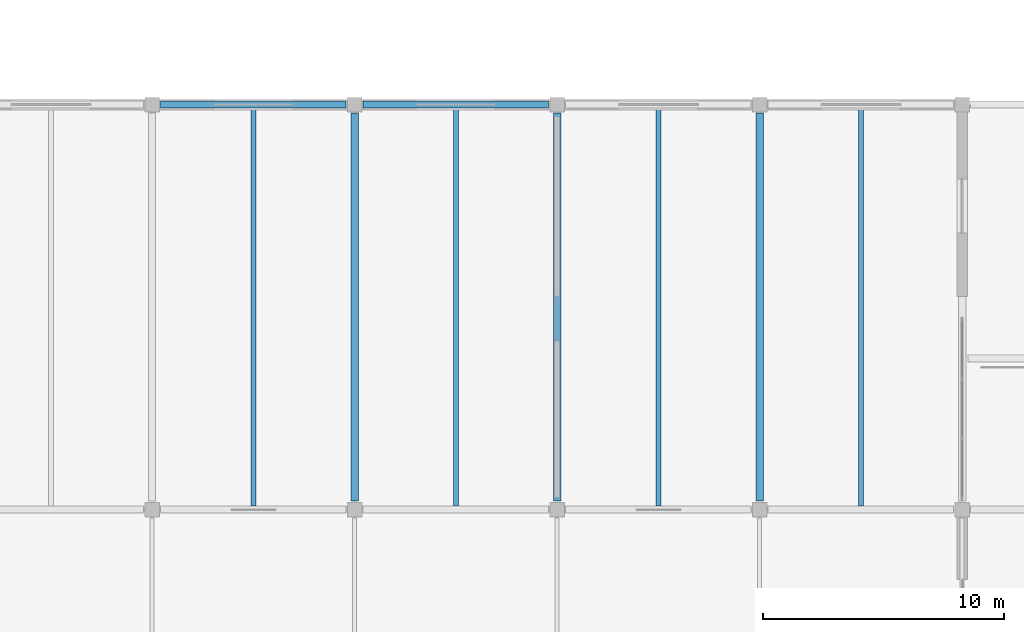
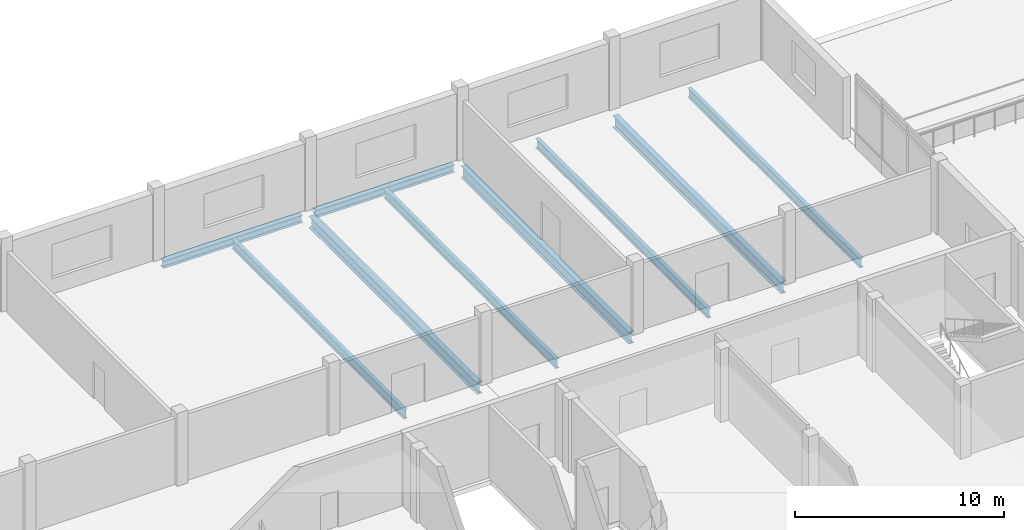
# One storey, part 25 of 81: 9 beams.
"""IFC4 building model written with IfcOpenShell, lengths in metres."""

from ifc_helpers import new_model, si_unit, direction, frame, origin, origin_2d, place, context, subcontext, project, spatial, i_section, extrude, material, material_profile, profile_set, type_object, element, save


model = new_model("IFC4")

# Units and contexts
model_context = context("Model", 3, precision=1e-05, world=origin(), true_north=direction((0.0, 1.0)))
body_context = subcontext(model_context, "Body", "Model", "MODEL_VIEW")
ifc_project = project(units=[si_unit("LENGTHUNIT", "METRE"), si_unit("AREAUNIT", "SQUARE_METRE"), si_unit("VOLUMEUNIT", "CUBIC_METRE"), si_unit("PLANEANGLEUNIT", "RADIAN"), si_unit("MASSUNIT", "GRAM", prefix="KILO")], contexts=[model_context])

# Site, building, storey
site_placement = place(None, origin())
site = spatial("IfcSite", under=ifc_project, at=site_placement, CompositionType="ELEMENT")
building_placement = place(site_placement, origin())
building = spatial("IfcBuilding", under=site, at=building_placement, Name="Qawsi Khor Wholesale Market", CompositionType="ELEMENT")
storey_placement = place(building_placement, frame((0.0, 0.0, 16.199951171875)))
storey = spatial("IfcBuildingStorey", under=building, at=storey_placement, Name="L03", CompositionType="ELEMENT", Elevation=16.199951171875)

# Beams
ifc_material = material(Name="Steel S355", Category="steel")
ifc_material_profile_1 = material_profile(ifc_material, i_section(OverallWidth=0.300048828125, OverallDepth=0.43994140625, WebThickness=0.011474609375, FlangeThickness=0.02099609375, FilletRadius=0.027099609375, at=origin_2d()), Name="HEA 450")
ifc_profile_set_1 = profile_set([ifc_material_profile_1], Name="Steel S355")
beam_type_1 = type_object("IfcBeamType", Name="Primary Girder HEA 450", PredefinedType="BEAM", material=ifc_profile_set_1)
beam_1_placement = place(storey_placement, frame((92.75, 42.0, -0.5), z_axis=(1.0, 0.0, 0.0), x_axis=(0.0, 1.0, 0.0)))
element("IfcBeam", 1, at=beam_1_placement, inside=storey, type_object=beam_type_1, Name="BM-X-L03-11_+05", PredefinedType="BEAM", context=body_context, shape_type="SweptSolid", body=[
    extrude(i_section(OverallWidth=0.300048828125, OverallDepth=0.43994140625, WebThickness=0.011474609375, FlangeThickness=0.02099609375, FilletRadius=0.027099609375, at=origin_2d()), origin(), (0.0, 0.0, 1.0), 7.699951171875),
])
beam_2_placement = place(storey_placement, frame((101.14990234375, 42.0, -0.5), z_axis=(1.0, 0.0, 0.0), x_axis=(0.0, 1.0, 0.0)))
element("IfcBeam", 2, at=beam_2_placement, inside=storey, type_object=beam_type_1, Name="BM-X-L03-12_+05", PredefinedType="BEAM", context=body_context, shape_type="SweptSolid", body=[
    extrude(i_section(OverallWidth=0.300048828125, OverallDepth=0.43994140625, WebThickness=0.011474609375, FlangeThickness=0.02099609375, FilletRadius=0.027099609375, at=origin_2d()), origin(), (0.0, 0.0, 1.0), 7.7001953125),
])
ifc_material_profile_2 = material_profile(ifc_material, i_section(OverallWidth=0.300048828125, OverallDepth=0.68994140625, WebThickness=0.014404296875, FlangeThickness=0.027099609375, FilletRadius=0.027099609375, at=origin_2d()), Name="HEA 700")
ifc_profile_set_2 = profile_set([ifc_material_profile_2], Name="Steel S355")
beam_type_2 = type_object("IfcBeamType", Name="Primary Girder HEA 700", PredefinedType="BEAM", material=ifc_profile_set_2)
for number, where, z_axis, x_axis, name in (
    (3, (100.800048828125, 25.550048828125, -0.625), (0.0, 1.0, 0.0), (-1.0, 0.0, 0.0), "BM-YL-L03-12_+03"),
    (4, (109.199951171875, 25.550048828125, -0.625), (0.0, 1.0, 0.0), (-1.0, 0.0, 0.0), "BM-YL-L03-13_+03"),
    (5, (117.60009765625, 25.550048828125, -0.625), (0.0, 1.0, 0.0), (-1.0, 0.0, 0.0), "BM-YL-L03-14_+03"),
):
    element("IfcBeam", number, at=place(storey_placement, frame(where, z_axis=z_axis, x_axis=x_axis)), inside=storey, type_object=beam_type_2, Name=name, PredefinedType="BEAM", context=body_context, shape_type="SweptSolid", body=[
        extrude(i_section(OverallWidth=0.300048828125, OverallDepth=0.68994140625, WebThickness=0.014404296875, FlangeThickness=0.027099609375, FilletRadius=0.027099609375, at=origin_2d()), origin(), (0.0, 0.0, 1.0), 16.099853515625),
    ])
ifc_material_profile_3 = material_profile(ifc_material, i_section(OverallWidth=0.2099609375, OverallDepth=0.550048828125, WebThickness=0.010986328125, FlangeThickness=0.01708984375, FilletRadius=0.02392578125, at=origin_2d()), Name="IPE 550")
ifc_profile_set_3 = profile_set([ifc_material_profile_3], Name="Steel S355")
beam_type_3 = type_object("IfcBeamType", Name="Secondary Beam IPE 550", PredefinedType="BEAM", material=ifc_profile_set_3)
for number, where, z_axis, x_axis, name in (
    (6, (96.60009765625, 25.35009765625, -0.554931640625), (0.0, 1.0, 0.0), (-1.0, 0.0, 0.0), "JST-M-L03-11"),
    (7, (105.0, 25.35009765625, -0.554931640625), (0.0, 1.0, 0.0), (-1.0, 0.0, 0.0), "JST-M-L03-12"),
    (8, (113.39990234375, 25.35009765625, -0.554931640625), (0.0, 1.0, 0.0), (-1.0, 0.0, 0.0), "JST-M-L03-13"),
    (9, (121.800048828125, 25.35009765625, -0.554931640625), (0.0, 1.0, 0.0), (-1.0, 0.0, 0.0), "JST-M-L03-14"),
):
    element("IfcBeam", number, at=place(storey_placement, frame(where, z_axis=z_axis, x_axis=x_axis)), inside=storey, type_object=beam_type_3, Name=name, PredefinedType="BEAM", context=body_context, shape_type="SweptSolid", body=[
        extrude(i_section(OverallWidth=0.2099609375, OverallDepth=0.550048828125, WebThickness=0.010986328125, FlangeThickness=0.01708984375, FilletRadius=0.02392578125, at=origin_2d()), origin(), (0.0, 0.0, 1.0), 16.5),
    ])

save(model, "model.ifc")
